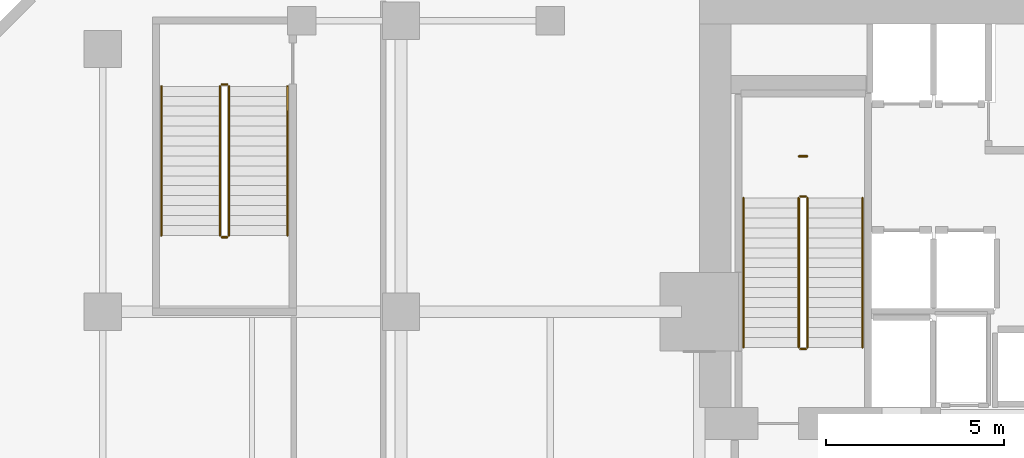
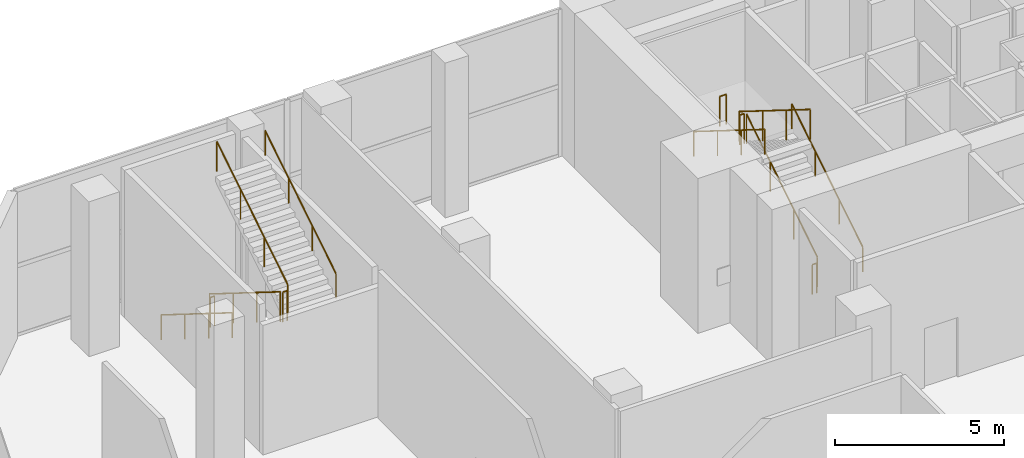
# One storey, part 39 of 40: 13 railings.
"""IFC4 building model written with IfcOpenShell, lengths in metres."""

from ifc_helpers import new_model, si_unit, direction, frame, origin, origin_2d, place, context, subcontext, project, spatial, circle, extrude, material, type_object, element, save


model = new_model("IFC4")

# Units and contexts
model_context = context("Model", 3, precision=1e-05, world=origin(), true_north=direction((0.0, 1.0)))
body_context = subcontext(model_context, "Body", "Model", "MODEL_VIEW")
ifc_project = project(units=[si_unit("LENGTHUNIT", "METRE"), si_unit("AREAUNIT", "SQUARE_METRE"), si_unit("VOLUMEUNIT", "CUBIC_METRE"), si_unit("PLANEANGLEUNIT", "RADIAN"), si_unit("MASSUNIT", "GRAM", prefix="KILO")], contexts=[model_context])

# Site, building, storey
site_placement = place(None, origin())
site = spatial("IfcSite", under=ifc_project, at=site_placement, CompositionType="ELEMENT")
building_placement = place(site_placement, origin())
building = spatial("IfcBuilding", under=site, at=building_placement, Name="Maruvema Waterfront Hotel and Observation Tower", CompositionType="ELEMENT")
storey_placement = place(building_placement, frame((0.0, 0.0, 10.85009765625)))
storey = spatial("IfcBuildingStorey", under=building, at=storey_placement, Name="L02", CompositionType="ELEMENT", Elevation=10.85009765625)

# Railings
ifc_material_1 = material(Name="Brushed stainless steel Grade 316", Category="steel")
railing_type_1 = type_object("IfcRailingType", Name="Ramp Continuous Wall Handrail 920 mm", PredefinedType="HANDRAIL", material=ifc_material_1)
railing_1_placement = place(storey_placement, frame((29.800048828125, 44.0, 0.1748046875)))
element("IfcRailing", 1, at=railing_1_placement, inside=storey, type_object=railing_type_1, Name="L02 ST-01 stair handrail 1", PredefinedType="HANDRAIL", context=body_context, shape_type="SweptSolid", body=[
    extrude(circle(Radius=0.02392578125, at=origin_2d()), frame((0.0, 0.0, 0.89599609375), z_axis=(0.0, 0.847995534698, 0.530003370869), x_axis=(-1.0, 0.0, 0.0)), (0.0, 0.0, 1.0), 4.952880859375),
    extrude(circle(Radius=0.02099609375, at=origin_2d()), origin(), (0.0, 0.0, 1.0), 0.871826171875),
    extrude(circle(Radius=0.02099609375, at=origin_2d()), frame((0.0, 1.39990234375, 0.875)), (0.0, 0.0, 1.0), 0.871826171875),
    extrude(circle(Radius=0.02099609375, at=origin_2d()), frame((0.0, 2.800048828125, 1.75)), (0.0, 0.0, 1.0), 0.871826171875),
    extrude(circle(Radius=0.02099609375, at=origin_2d()), frame((0.0, 4.199951171875, 2.625)), (0.0, 0.0, 1.0), 0.871826171875),
])
railing_2_placement = place(storey_placement, frame((26.449951171875, 48.199951171875, 2.974853515625)))
element("IfcRailing", 2, at=railing_2_placement, inside=storey, type_object=railing_type_1, Name="L02 ST-01 stair handrail 2", PredefinedType="HANDRAIL", context=body_context, shape_type="SweptSolid", body=[
    extrude(circle(Radius=0.02392578125, at=origin_2d()), frame((0.0, 0.0, 0.89599609375), z_axis=(0.0, -0.847995534698, 0.530003370869), x_axis=(1.0, 0.0, 0.0)), (0.0, 0.0, 1.0), 4.952880859375),
    extrude(circle(Radius=0.02099609375, at=origin_2d()), origin(), (0.0, 0.0, 1.0), 0.871826171875),
    extrude(circle(Radius=0.02099609375, at=origin_2d()), frame((0.0, -1.39990234375, 0.875)), (0.0, 0.0, 1.0), 0.871826171875),
    extrude(circle(Radius=0.02099609375, at=origin_2d()), frame((0.0, -2.800048828125, 1.75)), (0.0, 0.0, 1.0), 0.871826171875),
    extrude(circle(Radius=0.02099609375, at=origin_2d()), frame((0.0, -4.199951171875, 2.625)), (0.0, 0.0, 1.0), 0.871826171875),
])
railing_3_placement = place(storey_placement, frame((10.050048828125, 51.35009765625, 0.1748046875)))
element("IfcRailing", 3, at=railing_3_placement, inside=storey, type_object=railing_type_1, Name="L02 ST-04 stair handrail 1", PredefinedType="HANDRAIL", context=body_context, shape_type="SweptSolid", body=[
    extrude(circle(Radius=0.02392578125, at=origin_2d()), frame((0.0, 0.0, 0.89599609375), z_axis=(0.0, -0.848009380541, 0.529981217134), x_axis=(1.0, 0.0, 0.0)), (0.0, 0.0, 1.0), 4.953125),
    extrude(circle(Radius=0.02099609375, at=origin_2d()), origin(), (0.0, 0.0, 1.0), 0.871826171875),
    extrude(circle(Radius=0.02099609375, at=origin_2d()), frame((0.0, -1.400146484375, 0.875)), (0.0, 0.0, 1.0), 0.871826171875),
    extrude(circle(Radius=0.02099609375, at=origin_2d()), frame((0.0, -2.800048828125, 1.75)), (0.0, 0.0, 1.0), 0.871826171875),
    extrude(circle(Radius=0.02099609375, at=origin_2d()), frame((0.0, -4.2001953125, 2.625)), (0.0, 0.0, 1.0), 0.871826171875),
])
railing_4_placement = place(storey_placement, frame((13.60009765625, 47.14990234375, 2.974853515625)))
element("IfcRailing", 4, at=railing_4_placement, inside=storey, type_object=railing_type_1, Name="L02 ST-04 stair handrail 2", PredefinedType="HANDRAIL", context=body_context, shape_type="SweptSolid", body=[
    extrude(circle(Radius=0.02392578125, at=origin_2d()), frame((0.0, 0.0, 0.89599609375), z_axis=(0.0, 0.848009380541, 0.529981217134), x_axis=(-1.0, 0.0, 0.0)), (0.0, 0.0, 1.0), 4.953125),
    extrude(circle(Radius=0.02099609375, at=origin_2d()), origin(), (0.0, 0.0, 1.0), 0.871826171875),
    extrude(circle(Radius=0.02099609375, at=origin_2d()), frame((0.0, 1.400146484375, 0.875)), (0.0, 0.0, 1.0), 0.871826171875),
    extrude(circle(Radius=0.02099609375, at=origin_2d()), frame((0.0, 2.800048828125, 1.75)), (0.0, 0.0, 1.0), 0.871826171875),
    extrude(circle(Radius=0.02099609375, at=origin_2d()), frame((0.0, 4.2001953125, 2.625)), (0.0, 0.0, 1.0), 0.871826171875),
])
ifc_material_2 = material(Name="Brushed stainless steel Grade 316", Category="steel")
railing_type_2 = type_object("IfcRailingType", Name="Ramp and Terrace Guard Balustrade 1100 mm", PredefinedType="BALUSTRADE", material=ifc_material_2)
railing_5_placement = place(storey_placement, frame((28.25, 44.0, 0.1748046875)))
element("IfcRailing", 5, at=railing_5_placement, inside=storey, type_object=railing_type_2, Name="L02 ST-01 stair guard 1", PredefinedType="BALUSTRADE", context=body_context, shape_type="SweptSolid", body=[
    extrude(circle(Radius=0.02392578125, at=origin_2d()), frame((0.0, 0.0, 1.076171875), z_axis=(0.0, 0.847995534698, 0.530003370869), x_axis=(-1.0, 0.0, 0.0)), (0.0, 0.0, 1.0), 4.952880859375),
    extrude(circle(Radius=0.02099609375, at=origin_2d()), origin(), (0.0, 0.0, 1.0), 1.052001953125),
    extrude(circle(Radius=0.02099609375, at=origin_2d()), frame((0.0, 1.39990234375, 0.875)), (0.0, 0.0, 1.0), 1.052001953125),
    extrude(circle(Radius=0.02099609375, at=origin_2d()), frame((0.0, 2.800048828125, 1.75)), (0.0, 0.0, 1.0), 1.052001953125),
    extrude(circle(Radius=0.02099609375, at=origin_2d()), frame((0.0, 4.199951171875, 2.625)), (0.0, 0.0, 1.0), 1.052001953125),
])
railing_6_placement = place(storey_placement, frame((28.199951171875, 48.25, 2.7998046875)))
element("IfcRailing", 6, at=railing_6_placement, inside=storey, type_object=railing_type_2, Name="L02 ST-01 stair guard 2", PredefinedType="BALUSTRADE", context=body_context, shape_type="SweptSolid", body=[
    extrude(circle(Radius=0.02392578125, at=origin_2d()), frame((0.0, 0.0, 1.076171875), z_axis=(-1.0, 0.0, 0.0), x_axis=(0.0, -1.0, 0.0)), (0.0, 0.0, 1.0), 0.14990234375),
    extrude(circle(Radius=0.02099609375, at=origin_2d()), origin(), (0.0, 0.0, 1.0), 1.052001953125),
    extrude(circle(Radius=0.02099609375, at=origin_2d()), frame((-0.14990234375, 0.0, 0.0)), (0.0, 0.0, 1.0), 1.052001953125),
])
railing_7_placement = place(storey_placement, frame((28.0, 48.199951171875, 2.974853515625)))
element("IfcRailing", 7, at=railing_7_placement, inside=storey, type_object=railing_type_2, Name="L02 ST-01 stair guard 3", PredefinedType="BALUSTRADE", context=body_context, shape_type="SweptSolid", body=[
    extrude(circle(Radius=0.02392578125, at=origin_2d()), frame((0.0, 0.0, 1.076171875), z_axis=(0.0, -0.847995534698, 0.530003370869), x_axis=(1.0, 0.0, 0.0)), (0.0, 0.0, 1.0), 4.952880859375),
    extrude(circle(Radius=0.02099609375, at=origin_2d()), origin(), (0.0, 0.0, 1.0), 1.052001953125),
    extrude(circle(Radius=0.02099609375, at=origin_2d()), frame((0.0, -1.39990234375, 0.875)), (0.0, 0.0, 1.0), 1.052001953125),
    extrude(circle(Radius=0.02099609375, at=origin_2d()), frame((0.0, -2.800048828125, 1.75)), (0.0, 0.0, 1.0), 1.052001953125),
    extrude(circle(Radius=0.02099609375, at=origin_2d()), frame((0.0, -4.199951171875, 2.625)), (0.0, 0.0, 1.0), 1.052001953125),
])
railing_8_placement = place(storey_placement, frame((28.199951171875, 43.949951171875, 0.0)))
element("IfcRailing", 8, at=railing_8_placement, inside=storey, type_object=railing_type_2, Name="L02 ST-01 stair guard 4", PredefinedType="BALUSTRADE", context=body_context, shape_type="SweptSolid", body=[
    extrude(circle(Radius=0.02392578125, at=origin_2d()), frame((0.0, 0.0, 1.076171875), z_axis=(-1.0, 0.0, 0.0), x_axis=(0.0, -1.0, 0.0)), (0.0, 0.0, 1.0), 0.14990234375),
    extrude(circle(Radius=0.02099609375, at=origin_2d()), origin(), (0.0, 0.0, 1.0), 1.052001953125),
    extrude(circle(Radius=0.02099609375, at=origin_2d()), frame((-0.14990234375, 0.0, 0.0)), (0.0, 0.0, 1.0), 1.052001953125),
])
railing_9_placement = place(storey_placement, frame((28.239990234375, 49.3798828125, 2.7998046875)))
element("IfcRailing", 9, at=railing_9_placement, inside=storey, type_object=railing_type_2, Name="L02 ST-01 Half-Landing Slot Guard", PredefinedType="BALUSTRADE", context=body_context, shape_type="SweptSolid", body=[
    extrude(circle(Radius=0.02392578125, at=origin_2d()), frame((0.0, 0.0, 1.076171875), z_axis=(-1.0, 0.0, 0.0), x_axis=(0.0, -1.0, 0.0)), (0.0, 0.0, 1.0), 0.22998046875),
    extrude(circle(Radius=0.02099609375, at=origin_2d()), origin(), (0.0, 0.0, 1.0), 1.052001953125),
    extrude(circle(Radius=0.02099609375, at=origin_2d()), frame((-0.22998046875, 0.0, 0.0)), (0.0, 0.0, 1.0), 1.052001953125),
])
railing_10_placement = place(storey_placement, frame((11.699951171875, 51.35009765625, 0.1748046875)))
element("IfcRailing", 10, at=railing_10_placement, inside=storey, type_object=railing_type_2, Name="L02 ST-04 stair guard 1", PredefinedType="BALUSTRADE", context=body_context, shape_type="SweptSolid", body=[
    extrude(circle(Radius=0.02392578125, at=origin_2d()), frame((0.0, 0.0, 1.076171875), z_axis=(0.0, -0.848009380541, 0.529981217134), x_axis=(1.0, 0.0, 0.0)), (0.0, 0.0, 1.0), 4.953125),
    extrude(circle(Radius=0.02099609375, at=origin_2d()), origin(), (0.0, 0.0, 1.0), 1.052001953125),
    extrude(circle(Radius=0.02099609375, at=origin_2d()), frame((0.0, -1.400146484375, 0.875)), (0.0, 0.0, 1.0), 1.052001953125),
    extrude(circle(Radius=0.02099609375, at=origin_2d()), frame((0.0, -2.800048828125, 1.75)), (0.0, 0.0, 1.0), 1.052001953125),
    extrude(circle(Radius=0.02099609375, at=origin_2d()), frame((0.0, -4.2001953125, 2.625)), (0.0, 0.0, 1.0), 1.052001953125),
])
railing_11_placement = place(storey_placement, frame((11.75, 47.10009765625, 2.7998046875)))
element("IfcRailing", 11, at=railing_11_placement, inside=storey, type_object=railing_type_2, Name="L02 ST-04 stair guard 2", PredefinedType="BALUSTRADE", context=body_context, shape_type="SweptSolid", body=[
    extrude(circle(Radius=0.02392578125, at=origin_2d()), frame((0.0, 0.0, 1.076171875), z_axis=(1.0, 0.0, 0.0), x_axis=(0.0, 1.0, 0.0)), (0.0, 0.0, 1.0), 0.14990234375),
    extrude(circle(Radius=0.02099609375, at=origin_2d()), origin(), (0.0, 0.0, 1.0), 1.052001953125),
    extrude(circle(Radius=0.02099609375, at=origin_2d()), frame((0.14990234375, 0.0, 0.0)), (0.0, 0.0, 1.0), 1.052001953125),
])
railing_12_placement = place(storey_placement, frame((11.949951171875, 47.14990234375, 2.974853515625)))
element("IfcRailing", 12, at=railing_12_placement, inside=storey, type_object=railing_type_2, Name="L02 ST-04 stair guard 3", PredefinedType="BALUSTRADE", context=body_context, shape_type="SweptSolid", body=[
    extrude(circle(Radius=0.02392578125, at=origin_2d()), frame((0.0, 0.0, 1.076171875), z_axis=(0.0, 0.848009380541, 0.529981217134), x_axis=(-1.0, 0.0, 0.0)), (0.0, 0.0, 1.0), 4.953125),
    extrude(circle(Radius=0.02099609375, at=origin_2d()), origin(), (0.0, 0.0, 1.0), 1.052001953125),
    extrude(circle(Radius=0.02099609375, at=origin_2d()), frame((0.0, 1.400146484375, 0.875)), (0.0, 0.0, 1.0), 1.052001953125),
    extrude(circle(Radius=0.02099609375, at=origin_2d()), frame((0.0, 2.800048828125, 1.75)), (0.0, 0.0, 1.0), 1.052001953125),
    extrude(circle(Radius=0.02099609375, at=origin_2d()), frame((0.0, 4.2001953125, 2.625)), (0.0, 0.0, 1.0), 1.052001953125),
])
railing_13_placement = place(storey_placement, frame((11.75, 51.39990234375, 0.0)))
element("IfcRailing", 13, at=railing_13_placement, inside=storey, type_object=railing_type_2, Name="L02 ST-04 stair guard 4", PredefinedType="BALUSTRADE", context=body_context, shape_type="SweptSolid", body=[
    extrude(circle(Radius=0.02392578125, at=origin_2d()), frame((0.0, 0.0, 1.076171875), z_axis=(1.0, 0.0, 0.0), x_axis=(0.0, 1.0, 0.0)), (0.0, 0.0, 1.0), 0.14990234375),
    extrude(circle(Radius=0.02099609375, at=origin_2d()), origin(), (0.0, 0.0, 1.0), 1.052001953125),
    extrude(circle(Radius=0.02099609375, at=origin_2d()), frame((0.14990234375, 0.0, 0.0)), (0.0, 0.0, 1.0), 1.052001953125),
])

save(model, "model.ifc")
